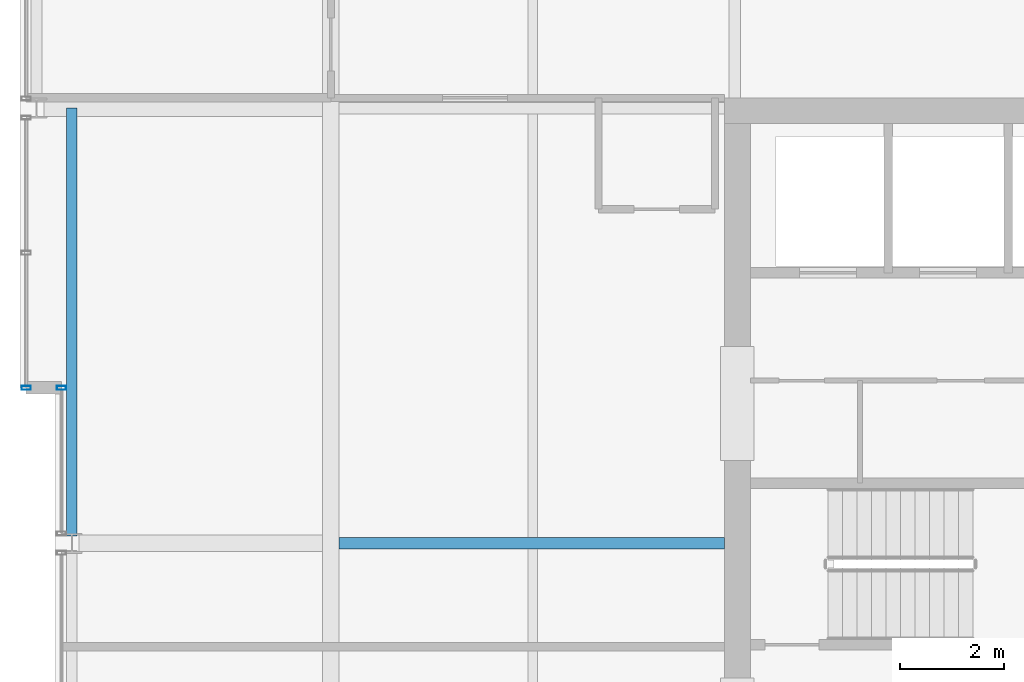
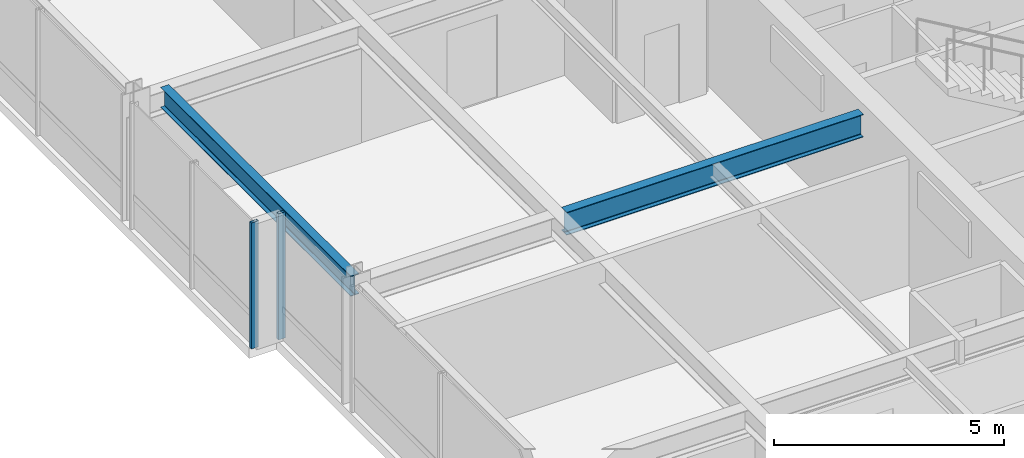
# One storey, part 10 of 30: 2 beams, 2 members, 2 elements without a shape of their own.
"""IFC4 building model written with IfcOpenShell, lengths in metres."""

from ifc_helpers import new_model, si_unit, direction, frame, origin, origin_2d, place, context, subcontext, project, spatial, hollow_rectangle, i_section, extrude, material, layer, layer_set, material_profile, profile_set, type_object, element, aggregate, save


model = new_model("IFC4")

# Units and contexts
model_context = context("Model", 3, precision=1e-05, world=origin(), true_north=direction((0.0, 1.0)))
body_context = subcontext(model_context, "Body", "Model", "MODEL_VIEW")
ifc_project = project(units=[si_unit("LENGTHUNIT", "METRE"), si_unit("AREAUNIT", "SQUARE_METRE"), si_unit("VOLUMEUNIT", "CUBIC_METRE"), si_unit("PLANEANGLEUNIT", "RADIAN"), si_unit("MASSUNIT", "GRAM", prefix="KILO")], contexts=[model_context])

# Site, building, storey
site_placement = place(None, origin())
site = spatial("IfcSite", under=ifc_project, at=site_placement, CompositionType="ELEMENT")
building_placement = place(site_placement, origin())
building = spatial("IfcBuilding", under=site, at=building_placement, Name="Drelvath Grand Hotel", CompositionType="ELEMENT")
storey_placement = place(building_placement, frame((0.0, 0.0, 215.89990234375)))
storey = spatial("IfcBuildingStorey", under=building, at=storey_placement, Name="L56", CompositionType="ELEMENT", Elevation=215.89990234375)

# Curtain wall, member
ifc_material_1 = material(Name="Platinum-Mist Anodised Aluminium Frame", Category="aluminium")
ifc_layer = layer(ifc_material_1, 0.199951171875)
ifc_layer_set = layer_set([ifc_layer], Name="Platinum-Mist Anodised Aluminium Frame")
curtain_wall_type = type_object("IfcCurtainWallType", Name="Stick Curtain Wall CW-05 Platinum Mist High-Rise", PredefinedType="NOTDEFINED", material=ifc_layer_set)
curtain_wall_1_placement = place(storey_placement, origin())
curtain_wall_1 = element("IfcCurtainWall", 1, at=curtain_wall_1_placement, inside=storey, type_object=curtain_wall_type, Name="L56 CW-05 Curtain Wall CW05-L56-WM2", PredefinedType="NOTDEFINED")
ifc_material_profile_1 = material_profile(ifc_material_1, hollow_rectangle(XDim=0.074951171875, YDim=0.179931640625, WallThickness=0.0048828125, at=origin_2d()), Name="HSS180X75X5")
ifc_profile_set_1 = profile_set([ifc_material_profile_1], Name="Platinum-Mist Anodised Aluminium Frame")
member_type = type_object("IfcMemberType", Name="Curtain Wall Vertical Mullion CW-05 HSS180X75X5", PredefinedType="MULLION", material=ifc_profile_set_1)
member_1_placement = place(storey_placement, frame((-21.39990234375, 30.0, 0.0), z_axis=(0.0, 0.0, 1.0), x_axis=(0.0, 1.0, 0.0)))
member_1 = element("IfcMember", 2, at=member_1_placement, type_object=member_type, Name="CW05-L56-WM2 Mullion 2", PredefinedType="MULLION", context=body_context, shape_type="SweptSolid", body=[
    extrude(hollow_rectangle(XDim=0.074951171875, YDim=0.179931640625, WallThickness=0.0048828125, at=origin_2d()), origin(), (0.0, 0.0, 1.0), 3.340087890625),
])
aggregate(curtain_wall_1, [member_1])

curtain_wall_2_placement = place(storey_placement, origin())
curtain_wall_2 = element("IfcCurtainWall", 3, at=curtain_wall_2_placement, inside=storey, type_object=curtain_wall_type, Name="L56 CW-05 Curtain Wall CW05-L56-WN1", PredefinedType="NOTDEFINED")
member_2_placement = place(storey_placement, frame((-22.080078125, 30.0, 0.0), z_axis=(0.0, 0.0, 1.0), x_axis=(0.0, 1.0, 0.0)))
member_2 = element("IfcMember", 4, at=member_2_placement, type_object=member_type, Name="CW05-L56-WN1 Mullion 1", PredefinedType="MULLION", context=body_context, shape_type="SweptSolid", body=[
    extrude(hollow_rectangle(XDim=0.074951171875, YDim=0.179931640625, WallThickness=0.0048828125, at=origin_2d()), origin(), (0.0, 0.0, 1.0), 3.340087890625),
])
aggregate(curtain_wall_2, [member_2])

# Beams
ifc_material_2 = material(Name="Steel ASTM A992 Gr 50", Category="steel")
ifc_material_profile_2 = material_profile(ifc_material_2, i_section(OverallWidth=0.210205078125, OverallDepth=0.53662109375, WebThickness=0.010986328125, FlangeThickness=0.017333984375, FilletRadius=0.01806640625, at=origin_2d()), Name="W21X68")
ifc_profile_set_2 = profile_set([ifc_material_profile_2], Name="Steel ASTM A992 Gr 50")
beam_type_1 = type_object("IfcBeamType", Name="Perimeter Spandrel Beam W21X68", PredefinedType="SPANDREL", material=ifc_profile_set_2)
beam_1_placement = place(storey_placement, frame((-21.199951171875, 27.139892578125, 3.07177734375), z_axis=(0.0, 1.0, 0.0), x_axis=(-1.0, 0.0, 0.0)))
element("IfcBeam", 5, at=beam_1_placement, inside=storey, type_object=beam_type_1, Name="L56 Spandrel West Mid N", PredefinedType="SPANDREL", context=body_context, shape_type="SweptSolid", body=[
    extrude(i_section(OverallWidth=0.210205078125, OverallDepth=0.53662109375, WebThickness=0.010986328125, FlangeThickness=0.017333984375, FilletRadius=0.01806640625, at=origin_2d()), origin(), (0.0, 0.0, 1.0), 8.260009765625),
])
ifc_material_profile_3 = material_profile(ifc_material_2, i_section(OverallWidth=0.228271484375, OverallDepth=0.607666015625, WebThickness=0.01123046875, FlangeThickness=0.017333984375, FilletRadius=0.02001953125, at=origin_2d()), Name="W24X76")
ifc_profile_set_3 = profile_set([ifc_material_profile_3], Name="Steel ASTM A992 Gr 50")
beam_type_2 = type_object("IfcBeamType", Name="Primary Floor Girder W24X76", PredefinedType="BEAM", material=ifc_profile_set_3)
beam_2_placement = place(storey_placement, frame((-16.0380859375, 27.0, 3.036376953125), z_axis=(1.0, 0.0, 0.0), x_axis=(0.0, 1.0, 0.0)))
element("IfcBeam", 6, at=beam_2_placement, inside=storey, type_object=beam_type_2, Name="L56 West Core Tie E", PredefinedType="BEAM", context=body_context, shape_type="SweptSolid", body=[
    extrude(i_section(OverallWidth=0.228271484375, OverallDepth=0.607666015625, WebThickness=0.01123046875, FlangeThickness=0.017333984375, FilletRadius=0.02001953125, at=origin_2d()), origin(), (0.0, 0.0, 1.0), 7.43798828125),
])

save(model, "model.ifc")
